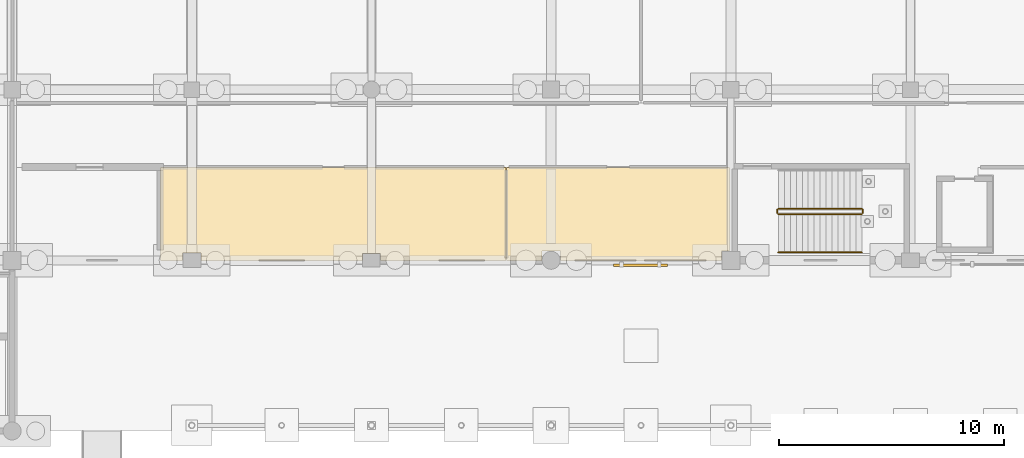
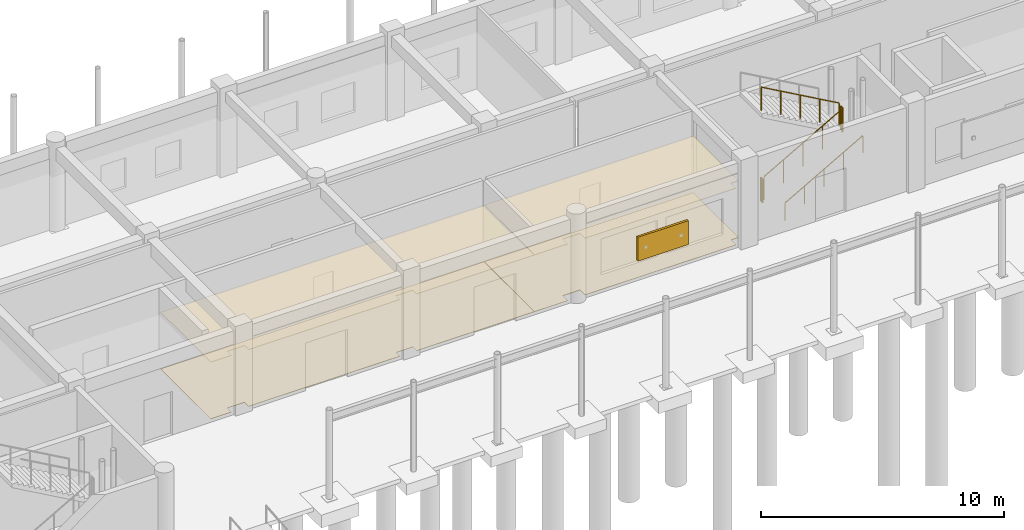
# One storey, part 155 of 166: 5 railings, 4 coverings, 1 shading device.
"""IFC4 building model written with IfcOpenShell, lengths in metres."""

from ifc_helpers import new_model, si_unit, direction, frame, origin, origin_2d, place, context, subcontext, project, spatial, polyline, rectangle, circle, outline, extrude, material, layer, layer_set, type_object, element, save


model = new_model("IFC4")

# Units and contexts
model_context = context("Model", 3, precision=1e-05, world=origin(), true_north=direction((0.0, 1.0)))
body_context = subcontext(model_context, "Body", "Model", "MODEL_VIEW")
ifc_project = project(units=[si_unit("LENGTHUNIT", "METRE"), si_unit("AREAUNIT", "SQUARE_METRE"), si_unit("VOLUMEUNIT", "CUBIC_METRE"), si_unit("PLANEANGLEUNIT", "RADIAN"), si_unit("MASSUNIT", "GRAM", prefix="KILO")], contexts=[model_context])

# Site, building, storey
site_placement = place(None, origin())
site = spatial("IfcSite", under=ifc_project, at=site_placement, CompositionType="ELEMENT")
building_placement = place(site_placement, origin())
building = spatial("IfcBuilding", under=site, at=building_placement, Name="Kharva Crest Polytechnic", CompositionType="ELEMENT")
storey_placement = place(building_placement, origin())
storey = spatial("IfcBuildingStorey", under=building, at=storey_placement, Name="L00", CompositionType="ELEMENT", Elevation=0.0)

# Coverings
ifc_material_1 = material(Name="Acoustic mineral board")
ifc_layer_1 = layer(ifc_material_1, 0.02490234375, Name="Acoustic mineral board")
ifc_layer_set_1 = layer_set([ifc_layer_1], Name="Acoustic mineral board")
covering_type_1 = type_object("IfcCoveringType", Name="COV-CLG-ACOUSTIC", PredefinedType="CEILING", material=ifc_layer_set_1)
covering_1_placement = place(storey_placement, frame((0.0, 0.0, 2.85009765625)))
element("IfcCovering", 1, at=covering_1_placement, inside=storey, type_object=covering_type_1, Name="L00 Admission Office Acoustic Ceiling", PredefinedType="CEILING", context=body_context, shape_type="SweptSolid", body=[
    extrude(outline(polyline([(78.0, 7.60009765625), (72.39990234375, 7.60009765625), (72.39990234375, 7.909912109375), (71.60009765625, 7.909912109375), (71.60009765625, 7.60009765625), (64.409912109375, 7.60009765625), (64.409912109375, 7.93505859375), (63.590087890625, 7.93505859375), (63.590087890625, 7.60009765625), (62.610107421875, 7.60009765625), (62.610107421875, 11.739990234375), (78.0, 11.739990234375), (78.0, 7.60009765625)])), origin(), (0.0, 0.0, 1.0), 0.02490234375),
])
covering_2_placement = place(storey_placement, frame((0.0, 0.0, 2.85009765625)))
element("IfcCovering", 2, at=covering_2_placement, inside=storey, type_object=covering_type_1, Name="L00 Registrar Office Acoustic Ceiling", PredefinedType="CEILING", context=body_context, shape_type="SweptSolid", body=[
    extrude(outline(polyline([(87.949951171875, 8.010009765625), (87.590087890625, 8.010009765625), (87.590087890625, 7.60009765625), (80.409912109375, 7.60009765625), (80.409912109375, 8.010009765625), (79.590087890625, 8.010009765625), (79.590087890625, 7.60009765625), (78.010009765625, 7.60009765625), (78.010009765625, 11.739990234375), (87.949951171875, 11.739990234375), (87.949951171875, 8.010009765625)])), origin(), (0.0, 0.0, 1.0), 0.02490234375),
])
ifc_material_2 = material(Name="Terrazzo tile")
ifc_layer_2 = layer(ifc_material_2, 0.02001953125, Name="Terrazzo tile")
ifc_layer_set_2 = layer_set([ifc_layer_2], Name="Terrazzo tile")
covering_type_2 = type_object("IfcCoveringType", Name="COV-FLR-TERRAZZO", PredefinedType="FLOORING", material=ifc_layer_set_2)
covering_3_placement = place(storey_placement, origin())
element("IfcCovering", 3, at=covering_3_placement, inside=storey, type_object=covering_type_2, Name="L00 Admission Office Terrazzo Flooring", PredefinedType="FLOORING", context=body_context, shape_type="SweptSolid", body=[
    extrude(outline(polyline([(78.0, 7.60009765625), (72.39990234375, 7.60009765625), (72.39990234375, 7.909912109375), (71.60009765625, 7.909912109375), (71.60009765625, 7.60009765625), (64.409912109375, 7.60009765625), (64.409912109375, 7.93505859375), (63.590087890625, 7.93505859375), (63.590087890625, 7.60009765625), (62.610107421875, 7.60009765625), (62.610107421875, 11.739990234375), (78.0, 11.739990234375), (78.0, 7.60009765625)])), origin(), (0.0, 0.0, 1.0), 0.02001953125),
])
covering_4_placement = place(storey_placement, origin())
element("IfcCovering", 4, at=covering_4_placement, inside=storey, type_object=covering_type_2, Name="L00 Registrar Office Terrazzo Flooring", PredefinedType="FLOORING", context=body_context, shape_type="SweptSolid", body=[
    extrude(outline(polyline([(87.949951171875, 8.010009765625), (87.590087890625, 8.010009765625), (87.590087890625, 7.60009765625), (80.409912109375, 7.60009765625), (80.409912109375, 8.010009765625), (79.590087890625, 8.010009765625), (79.590087890625, 7.60009765625), (78.010009765625, 7.60009765625), (78.010009765625, 11.739990234375), (87.949951171875, 11.739990234375), (87.949951171875, 8.010009765625)])), origin(), (0.0, 0.0, 1.0), 0.02001953125),
])

# Railings
ifc_material_3 = material(Name="Anodised aluminium", Category="aluminium")
railing_type_1 = type_object("IfcRailingType", Name="RL-STAIR-GUARD-1200", PredefinedType="GUARDRAIL", material=ifc_material_3)
railing_1_placement = place(storey_placement, frame((90.1201171875, 9.659912109375, 0.14990234375)))
element("IfcRailing", 5, at=railing_1_placement, inside=storey, type_object=railing_type_1, Name="L00 ST-08 stair guard 1", PredefinedType="GUARDRAIL", context=body_context, shape_type="SweptSolid", body=[
    extrude(circle(Radius=0.02392578125, at=origin_2d()), frame((0.0, 0.0, 1.17578125), z_axis=(0.870244811389, 0.0, 0.492619496418), x_axis=(0.0, 1.0, 0.0)), (0.0, 0.0, 1.0), 4.26318359375),
    extrude(circle(Radius=0.02099609375, at=origin_2d()), origin(), (0.0, 0.0, 1.0), 1.15185546875),
    extrude(circle(Radius=0.02099609375, at=origin_2d()), frame((0.927490234375, 0.0, 0.52490234375)), (0.0, 0.0, 1.0), 1.15185546875),
    extrude(circle(Radius=0.02099609375, at=origin_2d()), frame((1.85498046875, 0.0, 1.050048828125)), (0.0, 0.0, 1.0), 1.15185546875),
    extrude(circle(Radius=0.02099609375, at=origin_2d()), frame((2.782470703125, 0.0, 1.5751953125)), (0.0, 0.0, 1.0), 1.15185546875),
    extrude(circle(Radius=0.02099609375, at=origin_2d()), frame((3.7099609375, 0.0, 2.10009765625)), (0.0, 0.0, 1.0), 1.15185546875),
])
railing_2_placement = place(storey_placement, frame((93.8798828125, 9.7099609375, 2.25)))
element("IfcRailing", 6, at=railing_2_placement, inside=storey, type_object=railing_type_1, Name="L00 ST-08 stair guard 2", PredefinedType="GUARDRAIL", context=body_context, shape_type="SweptSolid", body=[
    extrude(circle(Radius=0.02392578125, at=origin_2d()), frame((0.0, 0.0, 1.17578125), z_axis=(0.0, 1.0, 0.0), x_axis=(-1.0, 0.0, 0.0)), (0.0, 0.0, 1.0), 0.14013671875),
    extrude(circle(Radius=0.02099609375, at=origin_2d()), origin(), (0.0, 0.0, 1.0), 1.15185546875),
    extrude(circle(Radius=0.02099609375, at=origin_2d()), frame((0.0, 0.14013671875, 0.0)), (0.0, 0.0, 1.0), 1.15185546875),
])
railing_3_placement = place(storey_placement, frame((93.830078125, 9.89990234375, 2.39990234375)))
element("IfcRailing", 7, at=railing_3_placement, inside=storey, type_object=railing_type_1, Name="L00 ST-08 stair guard 3", PredefinedType="GUARDRAIL", context=body_context, shape_type="SweptSolid", body=[
    extrude(circle(Radius=0.02392578125, at=origin_2d()), frame((0.0, 0.0, 1.17578125), z_axis=(-0.870244811389, 0.0, 0.492619496418), x_axis=(0.0, -1.0, 0.0)), (0.0, 0.0, 1.0), 4.26318359375),
    extrude(circle(Radius=0.02099609375, at=origin_2d()), origin(), (0.0, 0.0, 1.0), 1.15185546875),
    extrude(circle(Radius=0.02099609375, at=origin_2d()), frame((-0.927490234375, 0.0, 0.52490234375)), (0.0, 0.0, 1.0), 1.15185546875),
    extrude(circle(Radius=0.02099609375, at=origin_2d()), frame((-1.85498046875, 0.0, 1.050048828125)), (0.0, 0.0, 1.0), 1.15185546875),
    extrude(circle(Radius=0.02099609375, at=origin_2d()), frame((-2.782470703125, 0.0, 1.5751953125)), (0.0, 0.0, 1.0), 1.15185546875),
    extrude(circle(Radius=0.02099609375, at=origin_2d()), frame((-3.7099609375, 0.0, 2.10009765625)), (0.0, 0.0, 1.0), 1.15185546875),
])
railing_4_placement = place(storey_placement, frame((90.070068359375, 9.7099609375, 0.0)))
element("IfcRailing", 8, at=railing_4_placement, inside=storey, type_object=railing_type_1, Name="L00 ST-08 stair guard 4", PredefinedType="GUARDRAIL", context=body_context, shape_type="SweptSolid", body=[
    extrude(circle(Radius=0.02392578125, at=origin_2d()), frame((0.0, 0.0, 1.17578125), z_axis=(0.0, 1.0, 0.0), x_axis=(-1.0, 0.0, 0.0)), (0.0, 0.0, 1.0), 0.14013671875),
    extrude(circle(Radius=0.02099609375, at=origin_2d()), origin(), (0.0, 0.0, 1.0), 1.15185546875),
    extrude(circle(Radius=0.02099609375, at=origin_2d()), frame((0.0, 0.14013671875, 0.0)), (0.0, 0.0, 1.0), 1.15185546875),
])
ifc_material_4 = material(Name="Teak timber", Category="wood")
railing_type_2 = type_object("IfcRailingType", Name="RL-STAIR-HAND-900", PredefinedType="HANDRAIL", material=ifc_material_4)
railing_5_placement = place(storey_placement, frame((90.1201171875, 7.949951171875, 0.14990234375)))
element("IfcRailing", 9, at=railing_5_placement, inside=storey, type_object=railing_type_2, Name="L00 ST-08 stair handrail 1", PredefinedType="HANDRAIL", context=body_context, shape_type="SweptSolid", body=[
    extrude(circle(Radius=0.02392578125, at=origin_2d()), frame((0.0, 0.0, 0.8759765625), z_axis=(0.870244811389, 0.0, 0.492619496418), x_axis=(0.0, 1.0, 0.0)), (0.0, 0.0, 1.0), 4.26318359375),
    extrude(circle(Radius=0.02099609375, at=origin_2d()), origin(), (0.0, 0.0, 1.0), 0.851806640625),
    extrude(circle(Radius=0.02099609375, at=origin_2d()), frame((0.927490234375, 0.0, 0.52490234375)), (0.0, 0.0, 1.0), 0.851806640625),
    extrude(circle(Radius=0.02099609375, at=origin_2d()), frame((1.85498046875, 0.0, 1.050048828125)), (0.0, 0.0, 1.0), 0.851806640625),
    extrude(circle(Radius=0.02099609375, at=origin_2d()), frame((2.782470703125, 0.0, 1.5751953125)), (0.0, 0.0, 1.0), 0.851806640625),
    extrude(circle(Radius=0.02099609375, at=origin_2d()), frame((3.7099609375, 0.0, 2.10009765625)), (0.0, 0.0, 1.0), 0.851806640625),
])

# Shading device
ifc_material_5 = material(Name="Perforated terracotta", Category="masonry")
shading_device_type = type_object("IfcShadingDeviceType", Name="SHD-LOUVRE-2400X1200", PredefinedType="USERDEFINED", material=ifc_material_5)
shading_device_placement = place(storey_placement, frame((83.970458984375, 7.384521484375, 1.0498046875), z_axis=(0.0, 0.0, 1.0), x_axis=(1.0, 0.0, 0.0)))
element("IfcShadingDevice", 10, at=shading_device_placement, inside=storey, type_object=shading_device_type, Name="L00 Terracotta Jaali Solar Screen 5", ObjectType="LOUVRE", PredefinedType="USERDEFINED", context=body_context, shape_type="SweptSolid", body=[
    extrude(rectangle(XDim=2.39990234375, YDim=0.10009765625, at=origin_2d()), origin(), (0.0, 0.0, 1.0), 1.199951171875),
])

save(model, "model.ifc")
